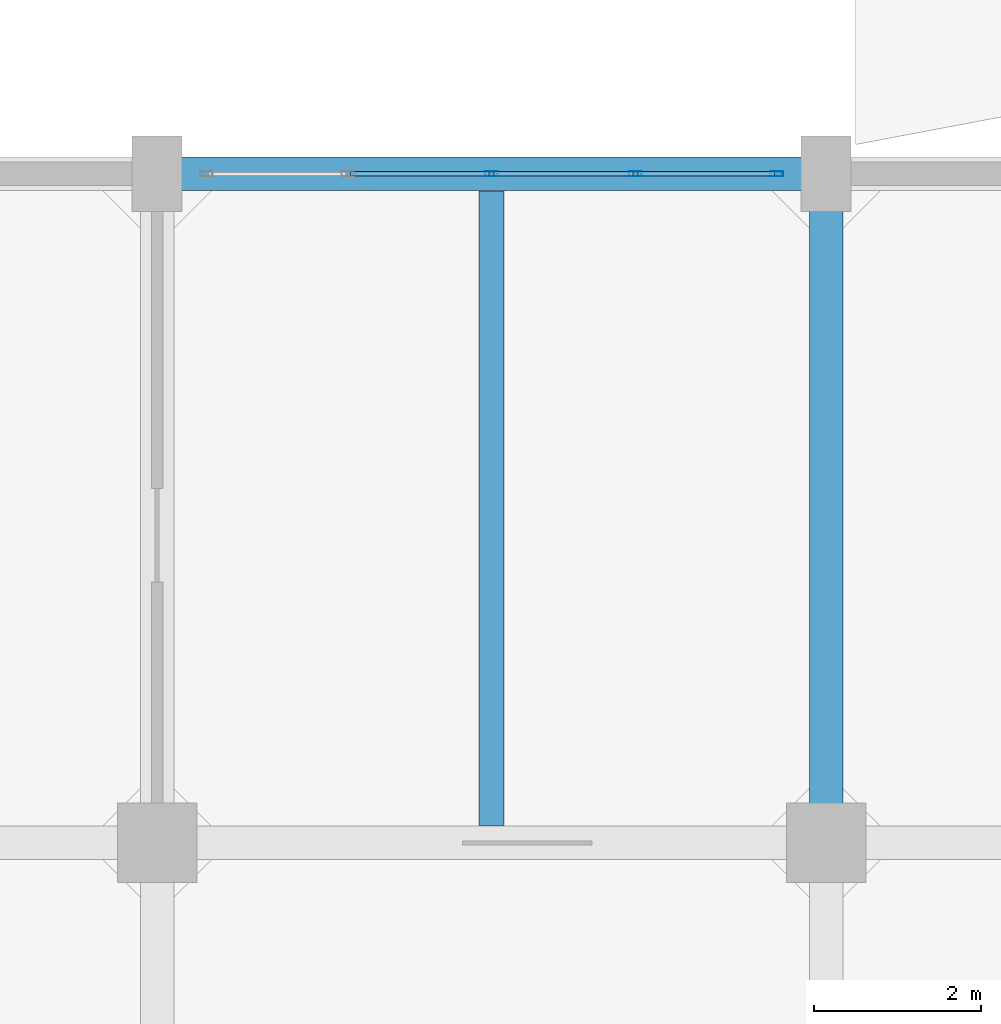
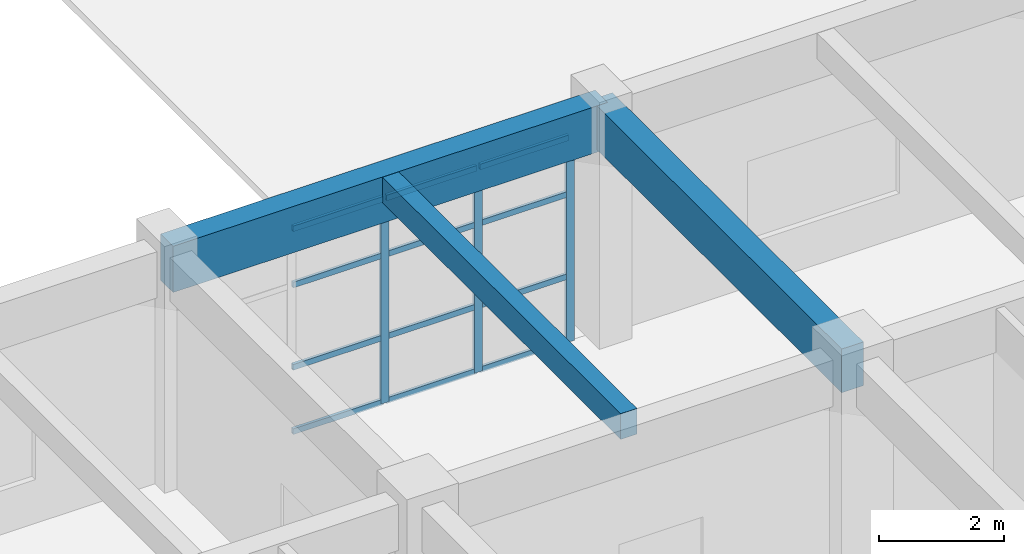
# One storey, part 40 of 63: 15 members, 3 beams, 1 element without a shape of its own.
"""IFC4 building model written with IfcOpenShell, lengths in metres."""

from ifc_helpers import new_model, si_unit, direction, frame, origin, origin_2d, place, context, subcontext, project, spatial, rectangle, hollow_rectangle, extrude, material, layer, layer_set, material_profile, profile_set, type_object, element, aggregate, save


model = new_model("IFC4")

# Units and contexts
model_context = context("Model", 3, precision=1e-05, world=origin(), true_north=direction((0.0, 1.0)))
body_context = subcontext(model_context, "Body", "Model", "MODEL_VIEW")
ifc_project = project(units=[si_unit("LENGTHUNIT", "METRE"), si_unit("AREAUNIT", "SQUARE_METRE"), si_unit("VOLUMEUNIT", "CUBIC_METRE"), si_unit("PLANEANGLEUNIT", "RADIAN"), si_unit("MASSUNIT", "GRAM", prefix="KILO")], contexts=[model_context])

# Site, building, storey
site_placement = place(None, origin())
site = spatial("IfcSite", under=ifc_project, at=site_placement, CompositionType="ELEMENT")
building_placement = place(site_placement, origin())
building = spatial("IfcBuilding", under=site, at=building_placement, Name="Canggui Botanical Conservatory", CompositionType="ELEMENT")
storey_placement = place(building_placement, frame((0.0, 0.0, 10.199951171875)))
storey = spatial("IfcBuildingStorey", under=building, at=storey_placement, Name="L03", CompositionType="ELEMENT", Elevation=10.199951171875)

# Beams
ifc_material_1 = material(Name="Concrete C35", Category="concrete")
ifc_material_profile_1 = material_profile(ifc_material_1, rectangle(XDim=0.300048828125, YDim=0.5, at=origin_2d()), Name="RB 300x500")
ifc_profile_set_1 = profile_set([ifc_material_profile_1], Name="Concrete C35")
beam_type_1 = type_object("IfcBeamType", Name="BM-JST02", PredefinedType="JOIST", material=ifc_profile_set_1)
beam_1_placement = place(storey_placement, frame((158.0, 74.205078125, 4.300048828125), z_axis=(0.0, 1.0, 0.0), x_axis=(-1.0, 0.0, 0.0)))
element("IfcBeam", 1, at=beam_1_placement, inside=storey, type_object=beam_type_1, Name="Secondary Floor Joist L03-3-7", PredefinedType="JOIST", context=body_context, shape_type="SweptSolid", body=[
    extrude(rectangle(XDim=0.300048828125, YDim=0.5, at=origin_2d()), origin(), (0.0, 0.0, 1.0), 7.58984375),
])
ifc_material_profile_2 = material_profile(ifc_material_1, rectangle(XDim=0.39990234375, YDim=0.89990234375, at=origin_2d()), Name="RB 400x900")
ifc_profile_set_2 = profile_set([ifc_material_profile_2], Name="Concrete C35")
beam_type_2 = type_object("IfcBeamType", Name="BM-KL07", PredefinedType="BEAM", material=ifc_profile_set_2)
beam_2_placement = place(storey_placement, frame((154.0, 82.0, 4.10009765625), z_axis=(1.0, 0.0, 0.0), x_axis=(0.0, 1.0, 0.0)))
element("IfcBeam", 2, at=beam_2_placement, inside=storey, type_object=beam_type_2, Name="Frame Girder L03 Y82-3", PredefinedType="BEAM", context=body_context, shape_type="SweptSolid", body=[
    extrude(rectangle(XDim=0.39990234375, YDim=0.89990234375, at=origin_2d()), origin(), (0.0, 0.0, 1.0), 8.0),
])
ifc_material_profile_3 = material_profile(ifc_material_1, rectangle(XDim=0.39990234375, YDim=0.85009765625, at=origin_2d()), Name="RB 400x850")
ifc_profile_set_3 = profile_set([ifc_material_profile_3], Name="Concrete C35")
beam_type_3 = type_object("IfcBeamType", Name="BM-KL08", PredefinedType="BEAM", material=ifc_profile_set_3)
beam_3_placement = place(storey_placement, frame((162.0, 74.0, 4.125), z_axis=(0.0, 1.0, 0.0), x_axis=(-1.0, 0.0, 0.0)))
element("IfcBeam", 3, at=beam_3_placement, inside=storey, type_object=beam_type_3, Name="Frame Girder L03 X162-7", PredefinedType="BEAM", context=body_context, shape_type="SweptSolid", body=[
    extrude(rectangle(XDim=0.39990234375, YDim=0.85009765625, at=origin_2d()), origin(), (0.0, 0.0, 1.0), 8.0),
])

# Curtain wall, members
ifc_material_2 = material(Name="Thermally Broken Aluminium", Category="aluminium")
ifc_layer = layer(ifc_material_2, 0.14990234375, Name="Thermally Broken Aluminium", Category="aluminium")
ifc_layer_set = layer_set([ifc_layer], Name="Thermally Broken Aluminium")
curtain_wall_type = type_object("IfcCurtainWallType", Name="CW-UNIT-C", PredefinedType="USERDEFINED", material=ifc_layer_set)
curtain_wall_placement = place(storey_placement, origin())
curtain_wall = element("IfcCurtainWall", 4, at=curtain_wall_placement, inside=storey, type_object=curtain_wall_type, Name="Facade Curtain Wall CW-TWR-L03-17", ObjectType="UNITISED CURTAIN WALL", PredefinedType="USERDEFINED")
ifc_material_profile_4 = material_profile(ifc_material_2, hollow_rectangle(XDim=0.06005859375, YDim=0.14990234375, WallThickness=0.00341796875, at=origin_2d()), Name="CWM 60x150x3.5")
ifc_profile_set_4 = profile_set([ifc_material_profile_4], Name="Thermally Broken Aluminium")
member_type_1 = type_object("IfcMemberType", Name="CWM-03", PredefinedType="MULLION", material=ifc_profile_set_4)
member_1_placement = place(storey_placement, frame((158.0, 82.0, 0.0), z_axis=(0.0, 0.0, 1.0), x_axis=(0.0, 1.0, 0.0)))
member_1 = element("IfcMember", 5, at=member_1_placement, type_object=member_type_1, Name="CW-03 mullion 3", PredefinedType="MULLION", context=body_context, shape_type="SweptSolid", body=[
    extrude(hollow_rectangle(XDim=0.06005859375, YDim=0.14990234375, WallThickness=0.00341796875, at=origin_2d()), origin(), (0.0, 0.0, 1.0), 4.0),
])
member_2_placement = place(storey_placement, frame((159.719970703125, 82.0, 0.0), z_axis=(0.0, 0.0, 1.0), x_axis=(0.0, 1.0, 0.0)))
member_2 = element("IfcMember", 6, at=member_2_placement, type_object=member_type_1, Name="CW-03 mullion 4", PredefinedType="MULLION", context=body_context, shape_type="SweptSolid", body=[
    extrude(hollow_rectangle(XDim=0.06005859375, YDim=0.14990234375, WallThickness=0.00341796875, at=origin_2d()), origin(), (0.0, 0.0, 1.0), 4.0),
])
member_3_placement = place(storey_placement, frame((161.409912109375, 82.0, 0.0), z_axis=(0.0, 0.0, 1.0), x_axis=(0.0, 1.0, 0.0)))
member_3 = element("IfcMember", 7, at=member_3_placement, type_object=member_type_1, Name="CW-03 mullion 5", PredefinedType="MULLION", context=body_context, shape_type="SweptSolid", body=[
    extrude(hollow_rectangle(XDim=0.06005859375, YDim=0.14990234375, WallThickness=0.00341796875, at=origin_2d()), origin(), (0.0, 0.0, 1.0), 4.0),
])
ifc_material_profile_5 = material_profile(ifc_material_2, hollow_rectangle(XDim=0.054931640625, YDim=0.110107421875, WallThickness=0.0029296875, at=origin_2d()), Name="CWT 55x110x3")
ifc_profile_set_5 = profile_set([ifc_material_profile_5], Name="Thermally Broken Aluminium")
member_type_2 = type_object("IfcMemberType", Name="CWT-03", PredefinedType="USERDEFINED", material=ifc_profile_set_5)
member_4_placement = place(storey_placement, frame((156.31005859375, 82.0, 0.027587890625), z_axis=(1.0, 0.0, 0.0), x_axis=(0.0, 1.0, 0.0)))
member_4 = element("IfcMember", 8, at=member_4_placement, type_object=member_type_2, Name="CW-03 transom 2.1", ObjectType="TRANSOM", PredefinedType="USERDEFINED", context=body_context, shape_type="SweptSolid", body=[
    extrude(hollow_rectangle(XDim=0.054931640625, YDim=0.110107421875, WallThickness=0.0029296875, at=origin_2d()), origin(), (0.0, 0.0, 1.0), 1.659912109375),
])
member_5_placement = place(storey_placement, frame((156.31005859375, 82.0, 1.280029296875), z_axis=(1.0, 0.0, 0.0), x_axis=(0.0, 1.0, 0.0)))
member_5 = element("IfcMember", 9, at=member_5_placement, type_object=member_type_2, Name="CW-03 transom 2.2", ObjectType="TRANSOM", PredefinedType="USERDEFINED", context=body_context, shape_type="SweptSolid", body=[
    extrude(hollow_rectangle(XDim=0.054931640625, YDim=0.110107421875, WallThickness=0.0029296875, at=origin_2d()), origin(), (0.0, 0.0, 1.0), 1.659912109375),
])
member_6_placement = place(storey_placement, frame((156.31005859375, 82.0, 2.880126953125), z_axis=(1.0, 0.0, 0.0), x_axis=(0.0, 1.0, 0.0)))
member_6 = element("IfcMember", 10, at=member_6_placement, type_object=member_type_2, Name="CW-03 transom 2.3", ObjectType="TRANSOM", PredefinedType="USERDEFINED", context=body_context, shape_type="SweptSolid", body=[
    extrude(hollow_rectangle(XDim=0.054931640625, YDim=0.110107421875, WallThickness=0.0029296875, at=origin_2d()), origin(), (0.0, 0.0, 1.0), 1.659912109375),
])
member_7_placement = place(storey_placement, frame((156.31005859375, 82.0, 3.97265625), z_axis=(1.0, 0.0, 0.0), x_axis=(0.0, 1.0, 0.0)))
member_7 = element("IfcMember", 11, at=member_7_placement, type_object=member_type_2, Name="CW-03 transom 2.4", ObjectType="TRANSOM", PredefinedType="USERDEFINED", context=body_context, shape_type="SweptSolid", body=[
    extrude(hollow_rectangle(XDim=0.054931640625, YDim=0.110107421875, WallThickness=0.0029296875, at=origin_2d()), origin(), (0.0, 0.0, 1.0), 1.659912109375),
])
member_8_placement = place(storey_placement, frame((158.030029296875, 82.0, 0.027587890625), z_axis=(1.0, 0.0, 0.0), x_axis=(0.0, 1.0, 0.0)))
member_8 = element("IfcMember", 12, at=member_8_placement, type_object=member_type_2, Name="CW-03 transom 3.1", ObjectType="TRANSOM", PredefinedType="USERDEFINED", context=body_context, shape_type="SweptSolid", body=[
    extrude(hollow_rectangle(XDim=0.054931640625, YDim=0.110107421875, WallThickness=0.0029296875, at=origin_2d()), origin(), (0.0, 0.0, 1.0), 1.659912109375),
])
member_9_placement = place(storey_placement, frame((158.030029296875, 82.0, 1.280029296875), z_axis=(1.0, 0.0, 0.0), x_axis=(0.0, 1.0, 0.0)))
member_9 = element("IfcMember", 13, at=member_9_placement, type_object=member_type_2, Name="CW-03 transom 3.2", ObjectType="TRANSOM", PredefinedType="USERDEFINED", context=body_context, shape_type="SweptSolid", body=[
    extrude(hollow_rectangle(XDim=0.054931640625, YDim=0.110107421875, WallThickness=0.0029296875, at=origin_2d()), origin(), (0.0, 0.0, 1.0), 1.659912109375),
])
member_10_placement = place(storey_placement, frame((158.030029296875, 82.0, 2.880126953125), z_axis=(1.0, 0.0, 0.0), x_axis=(0.0, 1.0, 0.0)))
member_10 = element("IfcMember", 14, at=member_10_placement, type_object=member_type_2, Name="CW-03 transom 3.3", ObjectType="TRANSOM", PredefinedType="USERDEFINED", context=body_context, shape_type="SweptSolid", body=[
    extrude(hollow_rectangle(XDim=0.054931640625, YDim=0.110107421875, WallThickness=0.0029296875, at=origin_2d()), origin(), (0.0, 0.0, 1.0), 1.659912109375),
])
member_11_placement = place(storey_placement, frame((158.030029296875, 82.0, 3.97265625), z_axis=(1.0, 0.0, 0.0), x_axis=(0.0, 1.0, 0.0)))
member_11 = element("IfcMember", 15, at=member_11_placement, type_object=member_type_2, Name="CW-03 transom 3.4", ObjectType="TRANSOM", PredefinedType="USERDEFINED", context=body_context, shape_type="SweptSolid", body=[
    extrude(hollow_rectangle(XDim=0.054931640625, YDim=0.110107421875, WallThickness=0.0029296875, at=origin_2d()), origin(), (0.0, 0.0, 1.0), 1.659912109375),
])
member_12_placement = place(storey_placement, frame((159.75, 82.0, 0.027587890625), z_axis=(1.0, 0.0, 0.0), x_axis=(0.0, 1.0, 0.0)))
member_12 = element("IfcMember", 16, at=member_12_placement, type_object=member_type_2, Name="CW-03 transom 4.1", ObjectType="TRANSOM", PredefinedType="USERDEFINED", context=body_context, shape_type="SweptSolid", body=[
    extrude(hollow_rectangle(XDim=0.054931640625, YDim=0.110107421875, WallThickness=0.0029296875, at=origin_2d()), origin(), (0.0, 0.0, 1.0), 1.6298828125),
])
member_13_placement = place(storey_placement, frame((159.75, 82.0, 1.280029296875), z_axis=(1.0, 0.0, 0.0), x_axis=(0.0, 1.0, 0.0)))
member_13 = element("IfcMember", 17, at=member_13_placement, type_object=member_type_2, Name="CW-03 transom 4.2", ObjectType="TRANSOM", PredefinedType="USERDEFINED", context=body_context, shape_type="SweptSolid", body=[
    extrude(hollow_rectangle(XDim=0.054931640625, YDim=0.110107421875, WallThickness=0.0029296875, at=origin_2d()), origin(), (0.0, 0.0, 1.0), 1.6298828125),
])
member_14_placement = place(storey_placement, frame((159.75, 82.0, 2.880126953125), z_axis=(1.0, 0.0, 0.0), x_axis=(0.0, 1.0, 0.0)))
member_14 = element("IfcMember", 18, at=member_14_placement, type_object=member_type_2, Name="CW-03 transom 4.3", ObjectType="TRANSOM", PredefinedType="USERDEFINED", context=body_context, shape_type="SweptSolid", body=[
    extrude(hollow_rectangle(XDim=0.054931640625, YDim=0.110107421875, WallThickness=0.0029296875, at=origin_2d()), origin(), (0.0, 0.0, 1.0), 1.6298828125),
])
member_15_placement = place(storey_placement, frame((159.75, 82.0, 3.97265625), z_axis=(1.0, 0.0, 0.0), x_axis=(0.0, 1.0, 0.0)))
member_15 = element("IfcMember", 19, at=member_15_placement, type_object=member_type_2, Name="CW-03 transom 4.4", ObjectType="TRANSOM", PredefinedType="USERDEFINED", context=body_context, shape_type="SweptSolid", body=[
    extrude(hollow_rectangle(XDim=0.054931640625, YDim=0.110107421875, WallThickness=0.0029296875, at=origin_2d()), origin(), (0.0, 0.0, 1.0), 1.6298828125),
])
aggregate(curtain_wall, [member_1, member_2, member_3, member_4, member_5, member_6, member_7, member_8, member_9, member_10, member_11, member_12, member_13, member_14, member_15])

save(model, "model.ifc")
